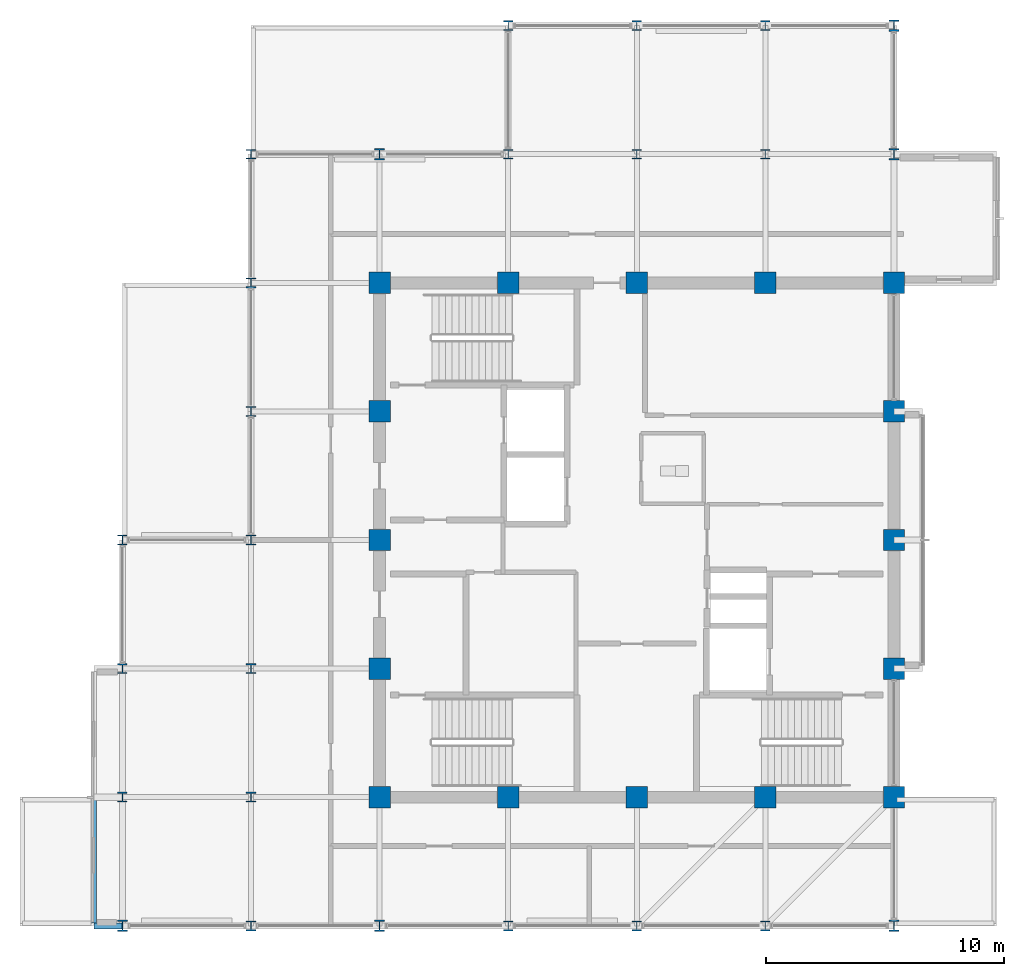
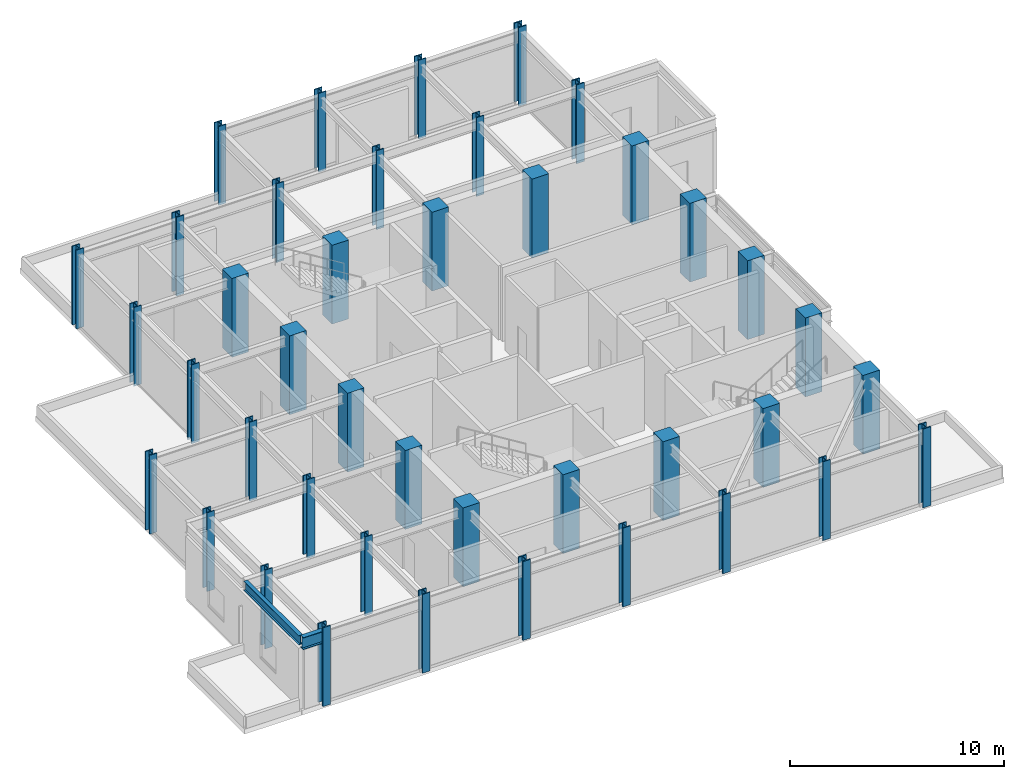
# One storey, part 1 of 21: 41 columns, 2 beams.
"""IFC4 building model written with IfcOpenShell, lengths in metres."""

from ifc_helpers import new_model, si_unit, direction, frame, origin, origin_2d, place, context, subcontext, project, spatial, rectangle, i_section, extrude, material, material_profile, profile_set, type_object, element, save


model = new_model("IFC4")

# Units and contexts
model_context = context("Model", 3, precision=1e-05, world=origin(), true_north=direction((0.0, 1.0)))
body_context = subcontext(model_context, "Body", "Model", "MODEL_VIEW")
ifc_project = project(units=[si_unit("LENGTHUNIT", "METRE"), si_unit("AREAUNIT", "SQUARE_METRE"), si_unit("VOLUMEUNIT", "CUBIC_METRE"), si_unit("PLANEANGLEUNIT", "RADIAN"), si_unit("MASSUNIT", "GRAM", prefix="KILO")], contexts=[model_context])

# Site, building, storey
site_placement = place(None, origin())
site = spatial("IfcSite", under=ifc_project, at=site_placement, CompositionType="ELEMENT")
building_placement = place(site_placement, origin())
building = spatial("IfcBuilding", under=site, at=building_placement, Name="Surkhivell Harbour Commons", CompositionType="ELEMENT")
storey_placement = place(building_placement, frame((0.0, 0.0, 346.5)))
storey = spatial("IfcBuildingStorey", under=building, at=storey_placement, Name="L90", CompositionType="ELEMENT", Elevation=346.5)

# Columns
ifc_material_1 = material(Name="Steel S460", Category="steel")
ifc_material_profile_1 = material_profile(ifc_material_1, i_section(OverallWidth=0.424072265625, OverallDepth=0.47412109375, WebThickness=0.04296875, FlangeThickness=0.06494140625, at=origin_2d()), Name="HD400x634")
ifc_profile_set_1 = profile_set([ifc_material_profile_1], Name="Steel S460")
column_type_1 = type_object("IfcColumnType", Name="COL-CRN-HD400", PredefinedType="COLUMN", material=ifc_profile_set_1)
for number, where, z_axis, x_axis, name in (
    (1, (-21.60009765625, -16.199951171875, 0.0), (0.0, 0.0, 1.0), (1.0, 0.0, 0.0), "L90 Column CCRN-1 (-21.6,-16.2)"),
    (2, (-10.800048828125, -16.199951171875, 0.0), (0.0, 0.0, 1.0), (1.0, 0.0, 0.0), "L90 Column CCRN-1 (-10.8,-16.2)"),
    (3, (-10.800048828125, 16.199951171875, 0.0), (0.0, 0.0, 1.0), (1.0, 0.0, 0.0), "L90 Column CCRN-1 (-10.8,16.2)"),
    (4, (10.800048828125, -16.199951171875, 0.0), (0.0, 0.0, 1.0), (1.0, 0.0, 0.0), "L90 Column CCRN-1 (10.8,-16.2)"),
    (5, (10.800048828125, 16.199951171875, 0.0), (0.0, 0.0, 1.0), (1.0, 0.0, 0.0), "L90 Column CCRN-1 (10.8,16.2)"),
    (6, (10.800048828125, 21.60009765625, 0.0), (0.0, 0.0, 1.0), (1.0, 0.0, 0.0), "L90 Column CCRN-1 (10.8,21.6)"),
):
    element("IfcColumn", number, at=place(storey_placement, frame(where, z_axis=z_axis, x_axis=x_axis)), inside=storey, type_object=column_type_1, Name=name, PredefinedType="COLUMN", context=body_context, shape_type="SweptSolid", body=[
        extrude(i_section(OverallWidth=0.424072265625, OverallDepth=0.47412109375, WebThickness=0.04296875, FlangeThickness=0.06494140625, at=origin_2d()), origin(), (0.0, 0.0, 1.0), 4.5),
    ])
ifc_material_profile_2 = material_profile(ifc_material_1, i_section(OverallWidth=0.406982421875, OverallDepth=0.4189453125, WebThickness=0.030517578125, FlangeThickness=0.04931640625, at=origin_2d()), Name="UC356x406x393")
ifc_profile_set_2 = profile_set([ifc_material_profile_2], Name="Steel S460")
column_type_2 = type_object("IfcColumnType", Name="COL-CRN-UC356", PredefinedType="COLUMN", material=ifc_profile_set_2)
for number, where, z_axis, x_axis, name in (
    (7, (-21.60009765625, -10.800048828125, 0.0), (0.0, 0.0, 1.0), (1.0, 0.0, 0.0), "L90 Column CCRN-2 (-21.6,-10.8)"),
    (8, (-21.60009765625, -5.39990234375, 0.0), (0.0, 0.0, 1.0), (1.0, 0.0, 0.0), "L90 Column CCRN-2 (-21.6,-5.4)"),
    (9, (-21.60009765625, 0.0, 0.0), (0.0, 0.0, 1.0), (1.0, 0.0, 0.0), "L90 Column CCRN-2 (-21.6,0.0)"),
    (10, (-16.199951171875, -16.199951171875, 0.0), (0.0, 0.0, 1.0), (1.0, 0.0, 0.0), "L90 Column CCRN-2 (-16.2,-16.2)"),
    (11, (-16.199951171875, -10.800048828125, 0.0), (0.0, 0.0, 1.0), (1.0, 0.0, 0.0), "L90 Column CCRN-2 (-16.2,-10.8)"),
    (12, (-16.199951171875, -5.39990234375, 0.0), (0.0, 0.0, 1.0), (1.0, 0.0, 0.0), "L90 Column CCRN-2 (-16.2,-5.4)"),
    (13, (-16.199951171875, 0.0, 0.0), (0.0, 0.0, 1.0), (1.0, 0.0, 0.0), "L90 Column CCRN-2 (-16.2,0.0)"),
    (14, (-16.199951171875, 5.39990234375, 0.0), (0.0, 0.0, 1.0), (1.0, 0.0, 0.0), "L90 Column CCRN-2 (-16.2,5.4)"),
    (15, (-16.199951171875, 10.800048828125, 0.0), (0.0, 0.0, 1.0), (1.0, 0.0, 0.0), "L90 Column CCRN-2 (-16.2,10.8)"),
    (16, (-16.199951171875, 16.199951171875, 0.0), (0.0, 0.0, 1.0), (1.0, 0.0, 0.0), "L90 Column CCRN-2 (-16.2,16.2)"),
    (17, (-5.39990234375, -16.199951171875, 0.0), (0.0, 0.0, 1.0), (1.0, 0.0, 0.0), "L90 Column CCRN-2 (-5.4,-16.2)"),
    (18, (-5.39990234375, 16.199951171875, 0.0), (0.0, 0.0, 1.0), (1.0, 0.0, 0.0), "L90 Column CCRN-2 (-5.4,16.2)"),
    (19, (-5.39990234375, 21.60009765625, 0.0), (0.0, 0.0, 1.0), (1.0, 0.0, 0.0), "L90 Column CCRN-2 (-5.4,21.6)"),
    (20, (0.0, -16.199951171875, 0.0), (0.0, 0.0, 1.0), (1.0, 0.0, 0.0), "L90 Column CCRN-2 (0.0,-16.2)"),
    (21, (0.0, 16.199951171875, 0.0), (0.0, 0.0, 1.0), (1.0, 0.0, 0.0), "L90 Column CCRN-2 (0.0,16.2)"),
    (22, (0.0, 21.60009765625, 0.0), (0.0, 0.0, 1.0), (1.0, 0.0, 0.0), "L90 Column CCRN-2 (0.0,21.6)"),
    (23, (5.39990234375, -16.199951171875, 0.0), (0.0, 0.0, 1.0), (1.0, 0.0, 0.0), "L90 Column CCRN-2 (5.4,-16.2)"),
    (24, (5.39990234375, 16.199951171875, 0.0), (0.0, 0.0, 1.0), (1.0, 0.0, 0.0), "L90 Column CCRN-2 (5.4,16.2)"),
    (25, (5.39990234375, 21.60009765625, 0.0), (0.0, 0.0, 1.0), (1.0, 0.0, 0.0), "L90 Column CCRN-2 (5.4,21.6)"),
):
    element("IfcColumn", number, at=place(storey_placement, frame(where, z_axis=z_axis, x_axis=x_axis)), inside=storey, type_object=column_type_2, Name=name, PredefinedType="COLUMN", context=body_context, shape_type="SweptSolid", body=[
        extrude(i_section(OverallWidth=0.406982421875, OverallDepth=0.4189453125, WebThickness=0.030517578125, FlangeThickness=0.04931640625, at=origin_2d()), origin(), (0.0, 0.0, 1.0), 4.5),
    ])
ifc_material_2 = material(Name="Concrete C60/75", Category="concrete")
ifc_material_profile_3 = material_profile(ifc_material_2, rectangle(XDim=0.89990234375, YDim=0.89990234375, at=origin_2d()), Name="RC-COL-900x900")
ifc_profile_set_3 = profile_set([ifc_material_profile_3], Name="Concrete C60/75")
column_type_3 = type_object("IfcColumnType", Name="COL-TUBE-Z3A", PredefinedType="COLUMN", material=ifc_profile_set_3)
for number, where, z_axis, x_axis, name in (
    (26, (-10.800048828125, -10.800048828125, 0.0), (0.0, 0.0, 1.0), (1.0, 0.0, 0.0), "L90 Column CT-3A (-10.8,-10.8)"),
    (27, (-10.800048828125, -5.39990234375, 0.0), (0.0, 0.0, 1.0), (1.0, 0.0, 0.0), "L90 Column CT-3A (-10.8,-5.4)"),
    (28, (-10.800048828125, 0.0, 0.0), (0.0, 0.0, 1.0), (1.0, 0.0, 0.0), "L90 Column CT-3A (-10.8,0.0)"),
    (29, (-10.800048828125, 5.39990234375, 0.0), (0.0, 0.0, 1.0), (1.0, 0.0, 0.0), "L90 Column CT-3A (-10.8,5.4)"),
    (30, (-10.800048828125, 10.800048828125, 0.0), (0.0, 0.0, 1.0), (1.0, 0.0, 0.0), "L90 Column CT-3A (-10.8,10.8)"),
    (31, (-5.39990234375, -10.800048828125, 0.0), (0.0, 0.0, 1.0), (1.0, 0.0, 0.0), "L90 Column CT-3A (-5.4,-10.8)"),
    (32, (-5.39990234375, 10.800048828125, 0.0), (0.0, 0.0, 1.0), (1.0, 0.0, 0.0), "L90 Column CT-3A (-5.4,10.8)"),
    (33, (0.0, -10.800048828125, 0.0), (0.0, 0.0, 1.0), (1.0, 0.0, 0.0), "L90 Column CT-3A (0.0,-10.8)"),
    (34, (0.0, 10.800048828125, 0.0), (0.0, 0.0, 1.0), (1.0, 0.0, 0.0), "L90 Column CT-3A (0.0,10.8)"),
    (35, (5.39990234375, -10.800048828125, 0.0), (0.0, 0.0, 1.0), (1.0, 0.0, 0.0), "L90 Column CT-3A (5.4,-10.8)"),
    (36, (5.39990234375, 10.800048828125, 0.0), (0.0, 0.0, 1.0), (1.0, 0.0, 0.0), "L90 Column CT-3A (5.4,10.8)"),
    (37, (10.800048828125, -10.800048828125, 0.0), (0.0, 0.0, 1.0), (1.0, 0.0, 0.0), "L90 Column CT-3A (10.8,-10.8)"),
    (38, (10.800048828125, -5.39990234375, 0.0), (0.0, 0.0, 1.0), (1.0, 0.0, 0.0), "L90 Column CT-3A (10.8,-5.4)"),
    (39, (10.800048828125, 0.0, 0.0), (0.0, 0.0, 1.0), (1.0, 0.0, 0.0), "L90 Column CT-3A (10.8,0.0)"),
    (40, (10.800048828125, 5.39990234375, 0.0), (0.0, 0.0, 1.0), (1.0, 0.0, 0.0), "L90 Column CT-3A (10.8,5.4)"),
    (41, (10.800048828125, 10.800048828125, 0.0), (0.0, 0.0, 1.0), (1.0, 0.0, 0.0), "L90 Column CT-3A (10.8,10.8)"),
):
    element("IfcColumn", number, at=place(storey_placement, frame(where, z_axis=z_axis, x_axis=x_axis)), inside=storey, type_object=column_type_3, Name=name, PredefinedType="COLUMN", context=body_context, shape_type="SweptSolid", body=[
        extrude(rectangle(XDim=0.89990234375, YDim=0.89990234375, at=origin_2d()), origin(), (0.0, 0.0, 1.0), 4.5),
    ])

# Beams
ifc_material_profile_4 = material_profile(ifc_material_1, i_section(OverallWidth=0.256103515625, OverallDepth=0.693115234375, WebThickness=0.014404296875, FlangeThickness=0.023681640625, at=origin_2d()), Name="UB686x254x170")
ifc_profile_set_4 = profile_set([ifc_material_profile_4], Name="Steel S460")
beam_type_1 = type_object("IfcBeamType", Name="BM-CNT-686", PredefinedType="BEAM", material=ifc_profile_set_4)
beam_1_placement = place(storey_placement, frame((-21.60009765625, -16.199951171875, 3.87353515625), z_axis=(-1.0, 0.0, 0.0), x_axis=(0.0, -1.0, 0.0)))
element("IfcBeam", 42, at=beam_1_placement, inside=storey, type_object=beam_type_1, Name="L90 Box Cantilever Outrigger (-21.6,-16.2)", PredefinedType="BEAM", context=body_context, shape_type="SweptSolid", body=[
    extrude(i_section(OverallWidth=0.256103515625, OverallDepth=0.693115234375, WebThickness=0.014404296875, FlangeThickness=0.023681640625, at=origin_2d()), origin(), (0.0, 0.0, 1.0), 1.199951171875),
])
ifc_material_3 = material(Name="Steel S355", Category="steel")
ifc_material_profile_5 = material_profile(ifc_material_3, i_section(OverallWidth=0.2099609375, OverallDepth=0.537109375, WebThickness=0.0107421875, FlangeThickness=0.017333984375, at=origin_2d()), Name="UB533x210x101")
ifc_profile_set_5 = profile_set([ifc_material_profile_5], Name="Steel S355")
beam_type_2 = type_object("IfcBeamType", Name="BM-GRD-533B", PredefinedType="BEAM", material=ifc_profile_set_5)
beam_2_placement = place(storey_placement, frame((-22.800048828125, -16.077880859375, 3.951416015625), z_axis=(0.0, 1.0, 0.0), x_axis=(-1.0, 0.0, 0.0)))
element("IfcBeam", 43, at=beam_2_placement, inside=storey, type_object=beam_type_2, Name="L90 Box Rim Spandrel (-22.8,-16.2)", PredefinedType="BEAM", context=body_context, shape_type="SweptSolid", body=[
    extrude(i_section(OverallWidth=0.2099609375, OverallDepth=0.537109375, WebThickness=0.0107421875, FlangeThickness=0.017333984375, at=origin_2d()), origin(), (0.0, 0.0, 1.0), 5.15576171875),
])

save(model, "model.ifc")
